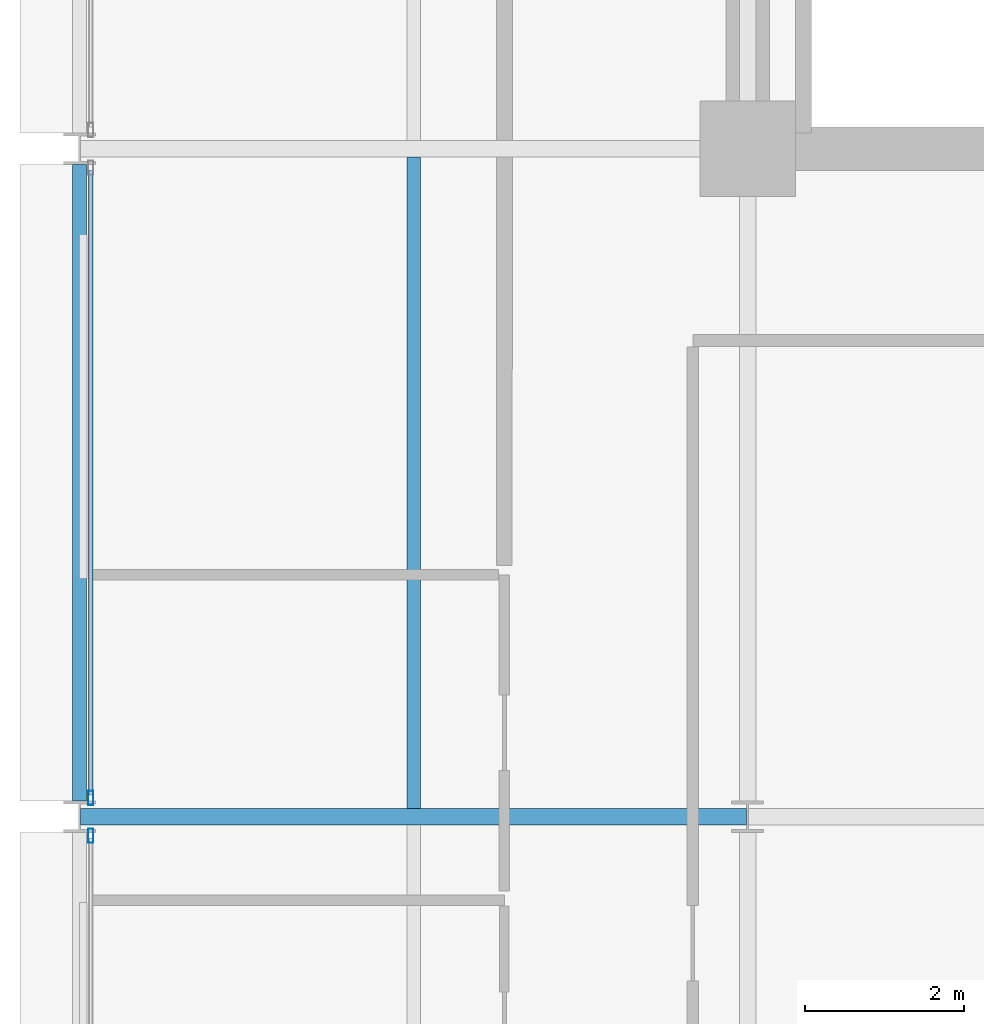
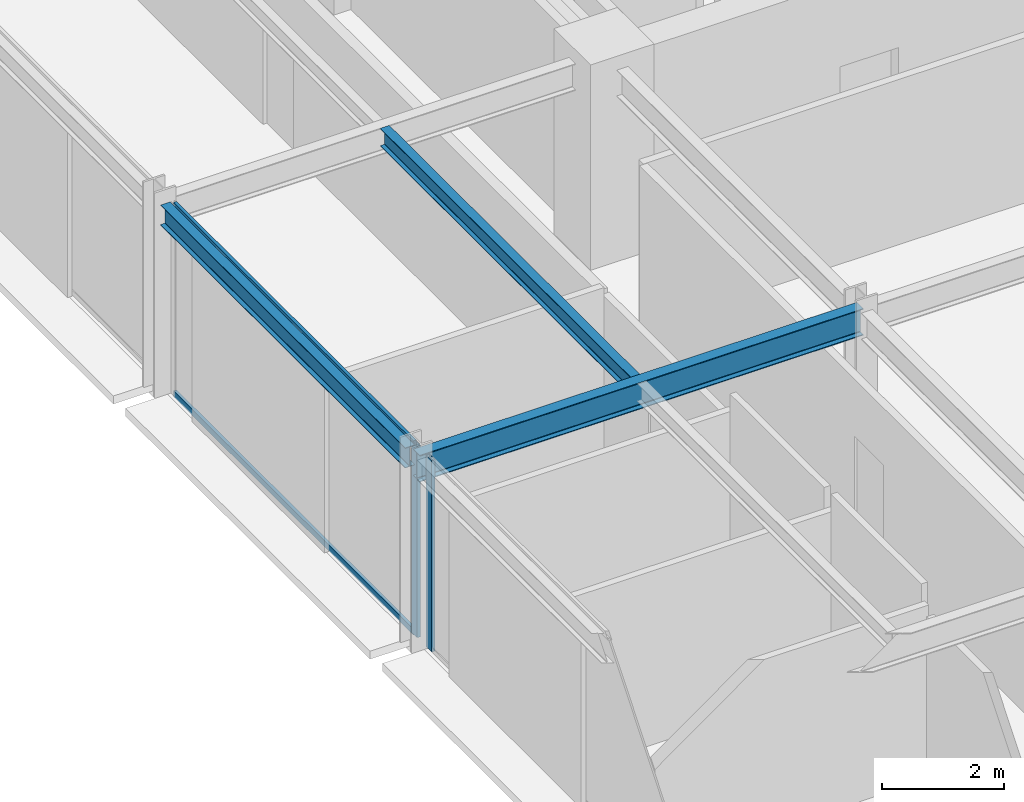
# One storey, part 8 of 30: 4 members, 3 beams, 2 elements without a shape of their own.
"""IFC4 building model written with IfcOpenShell, lengths in metres."""

from ifc_helpers import new_model, si_unit, direction, frame, origin, origin_2d, place, context, subcontext, project, spatial, hollow_rectangle, i_section, extrude, material, layer, layer_set, material_profile, profile_set, type_object, element, aggregate, save


model = new_model("IFC4")

# Units and contexts
model_context = context("Model", 3, precision=1e-05, world=origin(), true_north=direction((0.0, 1.0)))
body_context = subcontext(model_context, "Body", "Model", "MODEL_VIEW")
ifc_project = project(units=[si_unit("LENGTHUNIT", "METRE"), si_unit("AREAUNIT", "SQUARE_METRE"), si_unit("VOLUMEUNIT", "CUBIC_METRE"), si_unit("PLANEANGLEUNIT", "RADIAN"), si_unit("MASSUNIT", "GRAM", prefix="KILO")], contexts=[model_context])

# Site, building, storey
site_placement = place(None, origin())
site = spatial("IfcSite", under=ifc_project, at=site_placement, CompositionType="ELEMENT")
building_placement = place(site_placement, origin())
building = spatial("IfcBuilding", under=site, at=building_placement, Name="Nerrivon Quay Data Exchange", CompositionType="ELEMENT")
storey_placement = place(building_placement, frame((0.0, 0.0, 141.800048828125)))
storey = spatial("IfcBuildingStorey", under=building, at=storey_placement, Name="L33", CompositionType="ELEMENT", Elevation=141.800048828125)

# Beams
ifc_material_1 = material(Name="Steel Grade 350", Category="steel")
ifc_material_profile_1 = material_profile(ifc_material_1, i_section(OverallWidth=0.208984375, OverallDepth=0.532958984375, WebThickness=0.01025390625, FlangeThickness=0.015625, FilletRadius=0.013916015625, at=origin_2d()), Name="530UB92.4")
ifc_profile_set_1 = profile_set([ifc_material_profile_1], Name="Steel Grade 350")
beam_type_1 = type_object("IfcBeamType", Name="BM-G3-530UB92", PredefinedType="BEAM", material=ifc_profile_set_1)
beam_1_placement = place(storey_placement, frame((0.012451171875, 16.800048828125, 3.558349609375), z_axis=(1.0, 0.0, 0.0), x_axis=(0.0, 1.0, 0.0)))
element("IfcBeam", 1, at=beam_1_placement, inside=storey, type_object=beam_type_1, Name="L33 EW Girder Y=16.8 (0.0..8.4)", PredefinedType="BEAM", context=body_context, shape_type="SweptSolid", body=[
    extrude(i_section(OverallWidth=0.208984375, OverallDepth=0.532958984375, WebThickness=0.01025390625, FlangeThickness=0.015625, FilletRadius=0.013916015625, at=origin_2d()), origin(), (0.0, 0.0, 1.0), 8.375),
])
ifc_material_profile_2 = material_profile(ifc_material_1, i_section(OverallWidth=0.1708984375, OverallDepth=0.35595703125, WebThickness=0.00732421875, FlangeThickness=0.011474609375, FilletRadius=0.011474609375, at=origin_2d()), Name="360UB50.7")
ifc_profile_set_2 = profile_set([ifc_material_profile_2], Name="Steel Grade 350")
beam_type_2 = type_object("IfcBeamType", Name="BM-J4-360UB51", PredefinedType="JOIST", material=ifc_profile_set_2)
beam_2_placement = place(storey_placement, frame((4.199951171875, 16.904541015625, 3.64697265625), z_axis=(0.0, 1.0, 0.0), x_axis=(-1.0, 0.0, 0.0)))
element("IfcBeam", 2, at=beam_2_placement, inside=storey, type_object=beam_type_2, Name="L33 Secondary Joist X=4.2 (16.8..25.2)", PredefinedType="JOIST", context=body_context, shape_type="SweptSolid", body=[
    extrude(i_section(OverallWidth=0.1708984375, OverallDepth=0.35595703125, WebThickness=0.00732421875, FlangeThickness=0.011474609375, FilletRadius=0.011474609375, at=origin_2d()), origin(), (0.0, 0.0, 1.0), 8.19091796875),
])
ifc_material_profile_3 = material_profile(ifc_material_1, i_section(OverallWidth=0.177978515625, OverallDepth=0.403076171875, WebThickness=0.007568359375, FlangeThickness=0.010986328125, FilletRadius=0.011474609375, at=origin_2d()), Name="410UB53.7")
ifc_profile_set_3 = profile_set([ifc_material_profile_3], Name="Steel Grade 350")
beam_type_3 = type_object("IfcBeamType", Name="BM-SP2-410UB54", PredefinedType="SPANDREL", material=ifc_profile_set_3)
beam_3_placement = place(storey_placement, frame((0.0, 17.0, 3.62353515625), z_axis=(0.0, 1.0, 0.0), x_axis=(-1.0, 0.0, 0.0)))
element("IfcBeam", 3, at=beam_3_placement, inside=storey, type_object=beam_type_3, Name="L33 NS Girder X=0.0 (16.8..25.2)", PredefinedType="SPANDREL", context=body_context, shape_type="SweptSolid", body=[
    extrude(i_section(OverallWidth=0.177978515625, OverallDepth=0.403076171875, WebThickness=0.007568359375, FlangeThickness=0.010986328125, FilletRadius=0.011474609375, at=origin_2d()), origin(), (0.0, 0.0, 1.0), 8.0),
])

# Curtain wall, member
ifc_material_2 = material(Name="Anodised aluminium 6063-T6", Category="aluminium")
ifc_layer = layer(ifc_material_2, 0.2099609375)
ifc_layer_set = layer_set([ifc_layer], Name="Anodised aluminium 6063-T6")
curtain_wall_type = type_object("IfcCurtainWallType", Name="CW-SYS-02", PredefinedType="NOTDEFINED", material=ifc_layer_set)
curtain_wall_1_placement = place(storey_placement, origin())
curtain_wall_1 = element("IfcCurtainWall", 4, at=curtain_wall_1_placement, inside=storey, type_object=curtain_wall_type, Name="L33 Unitised Curtain Wall 12", PredefinedType="NOTDEFINED")
ifc_material_profile_4 = material_profile(ifc_material_2, hollow_rectangle(XDim=0.06494140625, YDim=0.179931640625, WallThickness=0.00341796875, at=origin_2d()), Name="ALU-MULL-180x65")
ifc_profile_set_4 = profile_set([ifc_material_profile_4], Name="Anodised aluminium 6063-T6")
member_type_1 = type_object("IfcMemberType", Name="CWM-180x65", PredefinedType="MULLION", material=ifc_profile_set_4)
member_1_placement = place(storey_placement, frame((0.139892578125, 16.5625, 0.0), z_axis=(0.0, 0.0, 1.0), x_axis=(-1.0, 0.0, 0.0)))
member_1 = element("IfcMember", 5, at=member_1_placement, type_object=member_type_1, Name="CW02 mullion 2", PredefinedType="MULLION", context=body_context, shape_type="SweptSolid", body=[
    extrude(hollow_rectangle(XDim=0.06494140625, YDim=0.179931640625, WallThickness=0.00341796875, at=origin_2d()), origin(), (0.0, 0.0, 1.0), 3.824951171875),
])
aggregate(curtain_wall_1, [member_1])

# Curtain wall, members
curtain_wall_2_placement = place(storey_placement, origin())
curtain_wall_2 = element("IfcCurtainWall", 6, at=curtain_wall_2_placement, inside=storey, type_object=curtain_wall_type, Name="L33 Unitised Curtain Wall 13", PredefinedType="NOTDEFINED")
member_2_placement = place(storey_placement, frame((0.139892578125, 17.03759765625, 0.0), z_axis=(0.0, 0.0, 1.0), x_axis=(-1.0, 0.0, 0.0)))
member_2 = element("IfcMember", 7, at=member_2_placement, type_object=member_type_1, Name="CW02 mullion 1", PredefinedType="MULLION", context=body_context, shape_type="SweptSolid", body=[
    extrude(hollow_rectangle(XDim=0.06494140625, YDim=0.179931640625, WallThickness=0.00341796875, at=origin_2d()), origin(), (0.0, 0.0, 1.0), 3.824951171875),
])
ifc_material_profile_5 = material_profile(ifc_material_2, hollow_rectangle(XDim=0.06005859375, YDim=0.1201171875, WallThickness=0.003173828125, at=origin_2d()), Name="ALU-TRAN-120x60")
ifc_profile_set_5 = profile_set([ifc_material_profile_5], Name="Anodised aluminium 6063-T6")
member_type_2 = type_object("IfcMemberType", Name="CWT-120x60", PredefinedType="USERDEFINED", material=ifc_profile_set_5)
member_3_placement = place(storey_placement, frame((0.139892578125, 17.074951171875, 0.032470703125), z_axis=(0.0, 1.0, 0.0), x_axis=(-1.0, 0.0, 0.0)))
member_3 = element("IfcMember", 8, at=member_3_placement, type_object=member_type_2, Name="CW02 transom 1.1", ObjectType="TRANSOM", PredefinedType="USERDEFINED", context=body_context, shape_type="SweptSolid", body=[
    extrude(hollow_rectangle(XDim=0.06005859375, YDim=0.1201171875, WallThickness=0.003173828125, at=origin_2d()), origin(), (0.0, 0.0, 1.0), 7.85009765625),
])
member_4_placement = place(storey_placement, frame((0.139892578125, 17.074951171875, 3.79248046875), z_axis=(0.0, 1.0, 0.0), x_axis=(-1.0, 0.0, 0.0)))
member_4 = element("IfcMember", 9, at=member_4_placement, type_object=member_type_2, Name="CW02 transom 1.2", ObjectType="TRANSOM", PredefinedType="USERDEFINED", context=body_context, shape_type="SweptSolid", body=[
    extrude(hollow_rectangle(XDim=0.06005859375, YDim=0.1201171875, WallThickness=0.003173828125, at=origin_2d()), origin(), (0.0, 0.0, 1.0), 7.85009765625),
])
aggregate(curtain_wall_2, [member_2, member_3, member_4])

save(model, "model.ifc")
